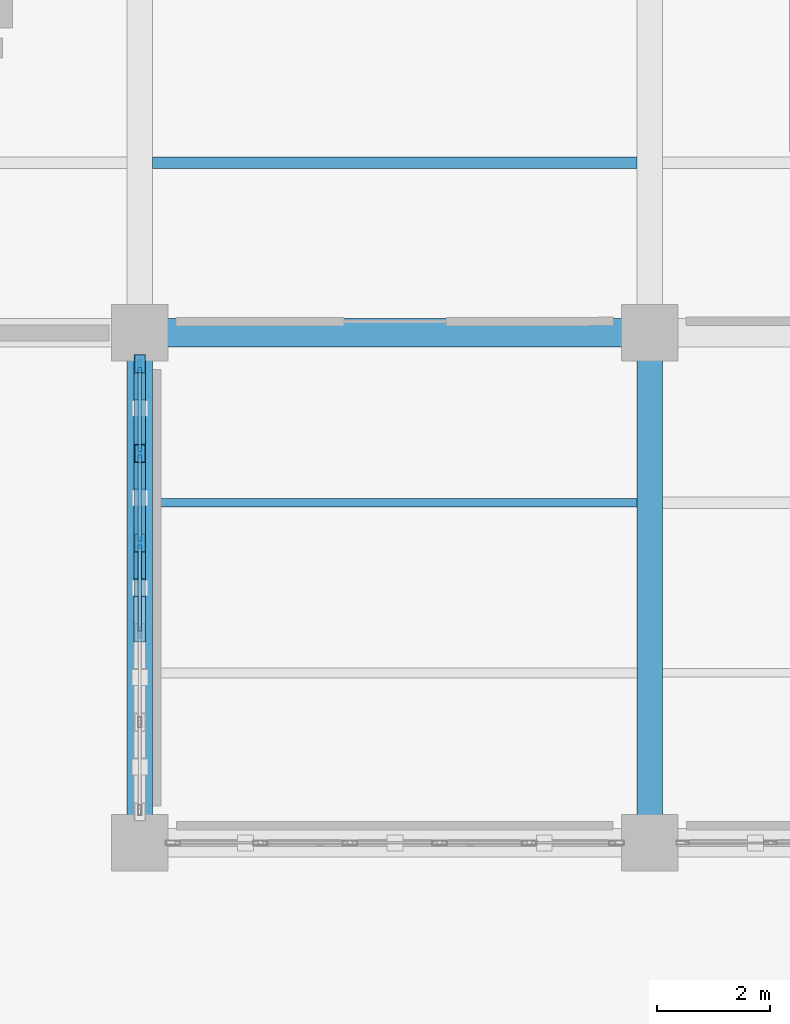
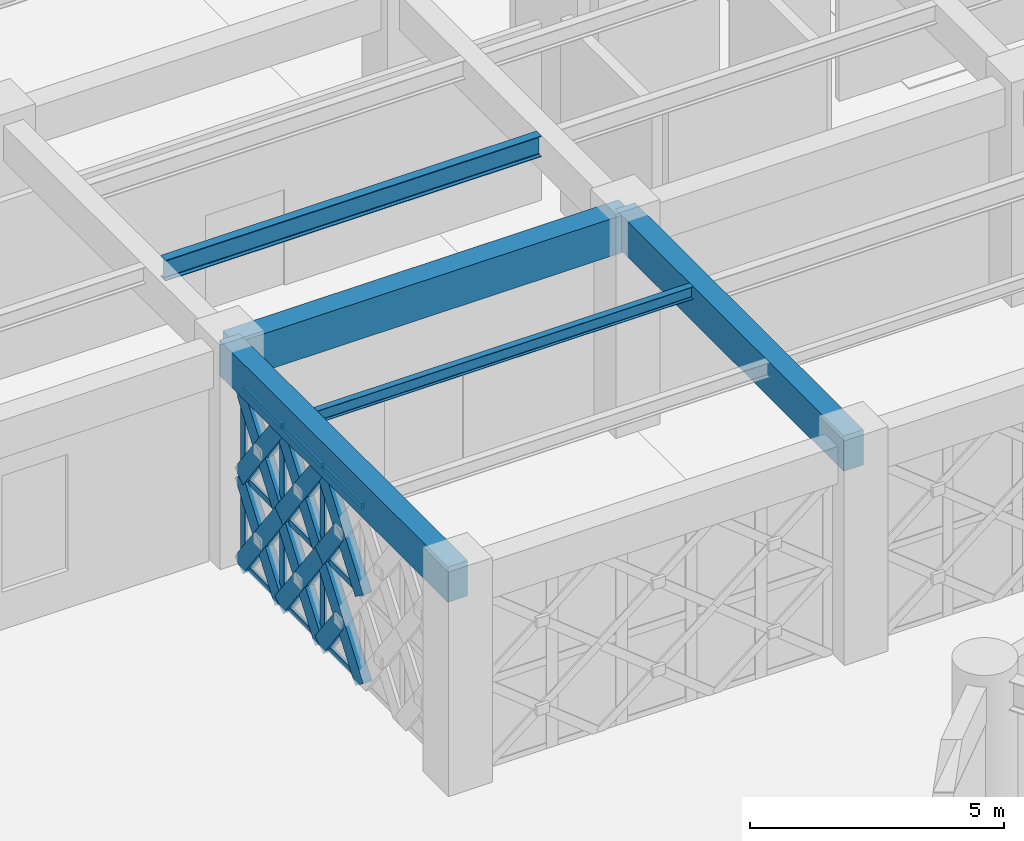
# One storey, part 56 of 140: 28 members, 5 beams, 1 element without a shape of its own.
"""IFC4 building model written with IfcOpenShell, lengths in metres."""

import ifcopenshell
import ifcopenshell.guid

model = None  # the IFC model being written
_history = None  # IfcOwnerHistory: only IFC2X3 demands one
_inside = {}  # id of a spatial element -> (the spatial element, [elements in it])
_under = {}  # id of a project, library or spatial element -> (it, [spatial elements below it])
_declared = {}  # id of a project -> (the project, [libraries it declares])
_typed = {}  # id of a type object -> (the type object, [elements of that type])
_made_of = {}  # id of a material, layer set ... -> (it, [elements and type objects made of it])


def new_model(schema):
    """Start an empty IFC model of exactly this schema.

    Asked for "IFC4X3", IfcOpenShell would pick the latest addendum, in which some entities
    have other attributes; the version numbers below select the first issue.
    IFC2X3 requires an IfcOwnerHistory on every rooted entity: one is made here for all.
    """
    global model, _history
    if schema == "IFC4X3":
        model = ifcopenshell.file(schema_version=(4, 3, 0, 0))
    else:
        model = ifcopenshell.file(schema=schema)
    _inside.clear()
    _under.clear()
    _declared.clear()
    _typed.clear()
    _made_of.clear()
    _history = None
    if model.schema == "IFC2X3":
        org = make("IfcOrganization", Name="unknown")
        user = make(
            "IfcPersonAndOrganization",
            ThePerson=make("IfcPerson", FamilyName="unknown"),
            TheOrganization=org,
        )
        app = make(
            "IfcApplication",
            ApplicationDeveloper=org,
            Version="unknown",
            ApplicationFullName="unknown",
            ApplicationIdentifier="unknown",
        )
        _history = make(
            "IfcOwnerHistory",
            OwningUser=user,
            OwningApplication=app,
            ChangeAction="ADDED",
            CreationDate=0,
        )
    return model


def make(cls, **values):
    """One entity of the class cls with the attributes given. An attribute that is None is left unset."""
    return model.create_entity(
        cls, **{name: value for name, value in values.items() if value is not None}
    )


def rooted(cls, **values):
    """An entity with a GlobalId (a new one), such as an element, a storey or a relation."""
    return make(cls, GlobalId=ifcopenshell.guid.new(), OwnerHistory=_history, **values)


def si_unit(unit_type, name, prefix=None):
    """IfcSIUnit, for example si_unit("LENGTHUNIT", "METRE", prefix="MILLI")."""
    return make("IfcSIUnit", UnitType=unit_type, Prefix=prefix, Name=name)


def assignment(units):
    """IfcUnitAssignment: the units of a project."""
    return None if units is None else make("IfcUnitAssignment", Units=units)


def point(xyz):
    """IfcCartesianPoint."""
    return None if xyz is None else make("IfcCartesianPoint", Coordinates=xyz)


def direction(xyz):
    """IfcDirection."""
    return None if xyz is None else make("IfcDirection", DirectionRatios=xyz)


def frame(location, z_axis=None, x_axis=None):
    """IfcAxis2Placement3D, a coordinate frame: its origin and axes. An axis left out is left unset."""
    return make(
        "IfcAxis2Placement3D",
        Location=point(location),
        Axis=direction(z_axis),
        RefDirection=direction(x_axis),
    )


def frame_2d(location, x_axis=None):
    """IfcAxis2Placement2D, a coordinate frame in the plane: its origin and x axis."""
    return make(
        "IfcAxis2Placement2D", Location=point(location), RefDirection=direction(x_axis)
    )


def origin():
    """The frame at (0, 0, 0) with its axes left unset."""
    return frame((0.0, 0.0, 0.0))


def origin_2d():
    """The frame at (0, 0) in the plane with its x axis left unset."""
    return frame_2d((0.0, 0.0))


def place(relative_to, where):
    """IfcLocalPlacement: puts the frame where relative to a parent placement (None: the world)."""
    return make(
        "IfcLocalPlacement", PlacementRelTo=relative_to, RelativePlacement=where
    )


def context(
    kind, dimensions, precision=None, world=None, true_north=None, identifier=None
):
    """IfcGeometricRepresentationContext, for example the 3D "Model" context."""
    return make(
        "IfcGeometricRepresentationContext",
        ContextIdentifier=identifier,
        ContextType=kind,
        CoordinateSpaceDimension=dimensions,
        Precision=precision,
        WorldCoordinateSystem=world,
        TrueNorth=true_north,
    )


def subcontext(parent, identifier, kind, view, scale=None):
    """IfcGeometricRepresentationSubContext, for example "Body" below "Model"."""
    return make(
        "IfcGeometricRepresentationSubContext",
        ContextIdentifier=identifier,
        ContextType=kind,
        ParentContext=parent,
        TargetScale=scale,
        TargetView=view,
    )


def project(units=None, contexts=None):
    """IfcProject with its units and contexts."""
    return rooted(
        "IfcProject",
        Name="project",
        RepresentationContexts=contexts,
        UnitsInContext=assignment(units),
    )


def spatial(cls, under=None, at=None, **own):
    """A site, building, storey or space (cls), placed at a placement, below another one or the project."""
    s = rooted(cls, ObjectPlacement=at, **own)
    if under is not None:
        _under.setdefault(under.id(), (under, []))[1].append(s)
    return s


def profile(cls, at=None, kind="AREA", **sizes):
    """A parametric profile (cls). Its sizes go by their IFC names, for example OverallWidth=200.0."""
    return make(cls, ProfileType=kind, Position=at, **sizes)


def rectangle(**sizes):
    """IfcRectangleProfileDef."""
    return profile("IfcRectangleProfileDef", **sizes)


def hollow_rectangle(**sizes):
    """IfcRectangleHollowProfileDef."""
    return profile("IfcRectangleHollowProfileDef", **sizes)


def i_section(**sizes):
    """IfcIShapeProfileDef."""
    return profile("IfcIShapeProfileDef", **sizes)


def extrude(swept, where, along, depth):
    """IfcExtrudedAreaSolid: the profile swept, set in the frame where, extruded along a direction by depth."""
    return make(
        "IfcExtrudedAreaSolid",
        SweptArea=swept,
        Position=where,
        ExtrudedDirection=direction(along),
        Depth=depth,
    )


def shape(context_of_items, identifier, shape_type, items):
    """IfcShapeRepresentation: the items that make up one representation, for example the "Body"."""
    return make(
        "IfcShapeRepresentation",
        ContextOfItems=context_of_items,
        RepresentationIdentifier=identifier,
        RepresentationType=shape_type,
        Items=items,
    )


def material(Name=None, Category=None):
    """IfcMaterial."""
    return make("IfcMaterial", Name=Name, Category=Category)


def material_profile(
    of_material, cross_section, Name=None, Category=None, Priority=None
):
    """IfcMaterialProfile: a cross section and its material."""
    return make(
        "IfcMaterialProfile",
        Name=Name,
        Material=of_material,
        Profile=cross_section,
        Priority=Priority,
        Category=Category,
    )


def profile_set(profiles, Name=None, composite=None):
    """IfcMaterialProfileSet."""
    return make(
        "IfcMaterialProfileSet",
        Name=Name,
        MaterialProfiles=profiles,
        CompositeProfile=composite,
    )


def made_of(thing, what):
    """Note that an element or type object is made of a material, layer set ...; save() writes the relation."""
    if what is not None:
        _made_of.setdefault(what.id(), (what, []))[1].append(thing)
    return thing


def type_object(cls, material=None, **own):
    """A type object (cls), such as IfcWallType, which elements share."""
    return made_of(rooted(cls, **own), material)


def element(
    cls,
    number,
    at=None,
    inside=None,
    cuts=None,
    type_object=None,
    material=None,
    context=None,
    identifier="Body",
    shape_type=None,
    held_by="IfcProductDefinitionShape",
    body=None,
    shapes=None,
    **own,
):
    """One element of the class cls, such as IfcWall. Its Tag is "e" and its number.

    at: its placement. inside: the storey or other place that contains it. cuts: it is an
    opening in that element (IfcRelVoidsElement). A single representation is given by context,
    identifier, shape_type and body (its items); several are given by shapes. held_by: the class
    of the entity that holds the representations. save() writes the other relations.
    """
    e = rooted(cls, Tag="e%d" % number, ObjectPlacement=at, **own)
    if body is not None:
        shapes = [shape(context, identifier, shape_type, body)]
    if shapes is not None:
        e.Representation = make(held_by, Representations=shapes)
    if inside is not None:
        _inside.setdefault(inside.id(), (inside, []))[1].append(e)
    if cuts is not None:
        rooted(
            "IfcRelVoidsElement", RelatingBuildingElement=cuts, RelatedOpeningElement=e
        )
    if type_object is not None:
        _typed.setdefault(type_object.id(), (type_object, []))[1].append(e)
    return made_of(e, material)


def aggregate(whole, parts):
    """IfcRelAggregates: a whole, such as a stair, and the parts it consists of."""
    return rooted("IfcRelAggregates", RelatingObject=whole, RelatedObjects=parts)


def save(model, path):
    """Write the relations noted so far, then the file.

    IfcRelAggregates (storeys below a building ...), IfcRelContainedInSpatialStructure (elements
    in a storey), IfcRelDefinesByType, IfcRelAssociatesMaterial and IfcRelDeclares: one each for
    every whole, place, type object, material and project.
    """
    for whole, parts in _under.values():
        aggregate(whole, parts)
    for where, things in _inside.values():
        rooted(
            "IfcRelContainedInSpatialStructure",
            RelatedElements=things,
            RelatingStructure=where,
        )
    for kind, things in _typed.values():
        rooted("IfcRelDefinesByType", RelatedObjects=things, RelatingType=kind)
    for what, things in _made_of.values():
        rooted("IfcRelAssociatesMaterial", RelatedObjects=things, RelatingMaterial=what)
    for by, libraries in _declared.values():
        rooted("IfcRelDeclares", RelatingContext=by, RelatedDefinitions=libraries)
    model.write(path)


model = new_model("IFC4")

# Units and contexts
model_context = context("Model", 3, precision=1e-05, world=origin(), true_north=direction((0.0, 1.0)))
body_context = subcontext(model_context, "Body", "Model", "MODEL_VIEW")
ifc_project = project(units=[si_unit("LENGTHUNIT", "METRE"), si_unit("AREAUNIT", "SQUARE_METRE"), si_unit("VOLUMEUNIT", "CUBIC_METRE"), si_unit("PLANEANGLEUNIT", "RADIAN"), si_unit("MASSUNIT", "GRAM", prefix="KILO")], contexts=[model_context])

# Site, building, storey
site_placement = place(None, origin())
site = spatial("IfcSite", under=ifc_project, at=site_placement, CompositionType="ELEMENT")
building_placement = place(site_placement, origin())
building = spatial("IfcBuilding", under=site, at=building_placement, Name="Haizhuo Lancet Aquarium", CompositionType="ELEMENT")
storey_placement = place(building_placement, origin())
storey = spatial("IfcBuildingStorey", under=building, at=storey_placement, Name="L00", CompositionType="ELEMENT", Elevation=0.0)

# Beams
ifc_material_1 = material(Name="Concrete C40/50", Category="concrete")
ifc_material_profile_1 = material_profile(ifc_material_1, rectangle(XDim=0.449951171875, YDim=0.85009765625, at=origin_2d()), Name="RC-BM 450x850")
ifc_profile_set_1 = profile_set([ifc_material_profile_1], Name="Concrete C40/50")
beam_type_1 = type_object("IfcBeamType", Name="BM-RC-450x850", PredefinedType="BEAM", material=ifc_profile_set_1)
for number, where, z_axis, x_axis, name in (
    (1, (-18.0, 27.0, 4.695068359375), (0.0, 1.0, 0.0), (-1.0, 0.0, 0.0), "L00 V5 primary girder BM-L00-V5-003"),
    (2, (-9.0, 27.0, 4.695068359375), (0.0, 1.0, 0.0), (-1.0, 0.0, 0.0), "L00 V5 primary girder BM-L00-V5-010"),
):
    element("IfcBeam", number, at=place(storey_placement, frame(where, z_axis=z_axis, x_axis=x_axis)), inside=storey, type_object=beam_type_1, Name=name, PredefinedType="BEAM", context=body_context, shape_type="SweptSolid", body=[
        extrude(rectangle(XDim=0.449951171875, YDim=0.85009765625, at=origin_2d()), origin(), (0.0, 0.0, 1.0), 9.0),
    ])
ifc_material_profile_2 = material_profile(ifc_material_1, rectangle(XDim=0.5, YDim=0.89990234375, at=origin_2d()), Name="RC-BM 500x900")
ifc_profile_set_2 = profile_set([ifc_material_profile_2], Name="Concrete C40/50")
beam_type_2 = type_object("IfcBeamType", Name="BM-RC-500x900", PredefinedType="BEAM", material=ifc_profile_set_2)
beam_1_placement = place(storey_placement, frame((-18.0, 36.0, 4.669921875), z_axis=(1.0, 0.0, 0.0), x_axis=(0.0, 1.0, 0.0)))
element("IfcBeam", 3, at=beam_1_placement, inside=storey, type_object=beam_type_2, Name="L00 V5 primary girder BM-L00-V5-006", PredefinedType="BEAM", context=body_context, shape_type="SweptSolid", body=[
    extrude(rectangle(XDim=0.5, YDim=0.89990234375, at=origin_2d()), origin(), (0.0, 0.0, 1.0), 9.0),
])

# Curtain wall, members
ifc_material_2 = material(Name="Aluminium 6063-T6", Category="aluminium")
curtain_wall_type = type_object("IfcCurtainWallType", Name="CWD-7910x4270", PredefinedType="NOTDEFINED", material=ifc_material_2)
curtain_wall_placement = place(storey_placement, origin())
curtain_wall = element("IfcCurtainWall", 4, at=curtain_wall_placement, inside=storey, type_object=curtain_wall_type, Name="L00 curtain wall CW-V5-L00-127", PredefinedType="NOTDEFINED")
ifc_material_profile_3 = material_profile(ifc_material_2, hollow_rectangle(XDim=0.06494140625, YDim=0.179931640625, WallThickness=0.00390625, at=origin_2d()), Name="ALU-M 65x180x4")
ifc_profile_set_3 = profile_set([ifc_material_profile_3], Name="Aluminium 6063-T6")
member_type_1 = type_object("IfcMemberType", Name="CW-MUL-1", PredefinedType="MULLION", material=ifc_profile_set_3)
member_1_placement = place(storey_placement, frame((-18.0, 32.291015625, 0.0), z_axis=(0.0, 0.0, 1.0), x_axis=(-1.0, 0.0, 0.0)))
member_1 = element("IfcMember", 5, at=member_1_placement, type_object=member_type_1, Name="CWD-79x42 mullion 4", PredefinedType="MULLION", context=body_context, shape_type="SweptSolid", body=[
    extrude(hollow_rectangle(XDim=0.06494140625, YDim=0.179931640625, WallThickness=0.00390625, at=origin_2d()), origin(), (0.0, 0.0, 1.0), 4.27001953125),
])
member_2_placement = place(storey_placement, frame((-18.0, 33.873046875, 0.0), z_axis=(0.0, 0.0, 1.0), x_axis=(-1.0, 0.0, 0.0)))
member_2 = element("IfcMember", 6, at=member_2_placement, type_object=member_type_1, Name="CWD-79x42 mullion 5", PredefinedType="MULLION", context=body_context, shape_type="SweptSolid", body=[
    extrude(hollow_rectangle(XDim=0.06494140625, YDim=0.179931640625, WallThickness=0.00390625, at=origin_2d()), origin(), (0.0, 0.0, 1.0), 4.27001953125),
])
member_3_placement = place(storey_placement, frame((-18.0, 35.422119140625, 0.0), z_axis=(0.0, 0.0, 1.0), x_axis=(-1.0, 0.0, 0.0)))
member_3 = element("IfcMember", 7, at=member_3_placement, type_object=member_type_1, Name="CWD-79x42 mullion 6", PredefinedType="MULLION", context=body_context, shape_type="SweptSolid", body=[
    extrude(hollow_rectangle(XDim=0.06494140625, YDim=0.179931640625, WallThickness=0.00390625, at=origin_2d()), origin(), (0.0, 0.0, 1.0), 4.27001953125),
])
ifc_material_profile_4 = material_profile(ifc_material_2, hollow_rectangle(XDim=0.06494140625, YDim=0.139892578125, WallThickness=0.00390625, at=origin_2d()), Name="ALU-T 65x140x4")
ifc_profile_set_4 = profile_set([ifc_material_profile_4], Name="Aluminium 6063-T6")
member_type_2 = type_object("IfcMemberType", Name="CW-TRN-1", PredefinedType="NOTDEFINED", material=ifc_profile_set_4)
member_4_placement = place(storey_placement, frame((-18.0, 30.741943359375, 0.032958984375), z_axis=(0.0, 1.0, 0.0), x_axis=(-1.0, 0.0, 0.0)))
member_4 = element("IfcMember", 8, at=member_4_placement, type_object=member_type_2, Name="CWD-79x42 transom 3.1", ObjectType="TRANSOM", PredefinedType="USERDEFINED", context=body_context, shape_type="SweptSolid", body=[
    extrude(hollow_rectangle(XDim=0.06494140625, YDim=0.139892578125, WallThickness=0.00390625, at=origin_2d()), origin(), (0.0, 0.0, 1.0), 1.51611328125),
])
member_5_placement = place(storey_placement, frame((-18.0, 30.741943359375, 2.135009765625), z_axis=(0.0, 1.0, 0.0), x_axis=(-1.0, 0.0, 0.0)))
member_5 = element("IfcMember", 9, at=member_5_placement, type_object=member_type_2, Name="CWD-79x42 transom 3.2", ObjectType="TRANSOM", PredefinedType="USERDEFINED", context=body_context, shape_type="SweptSolid", body=[
    extrude(hollow_rectangle(XDim=0.06494140625, YDim=0.139892578125, WallThickness=0.00390625, at=origin_2d()), origin(), (0.0, 0.0, 1.0), 1.51611328125),
])
member_6_placement = place(storey_placement, frame((-18.0, 30.741943359375, 4.237060546875), z_axis=(0.0, 1.0, 0.0), x_axis=(-1.0, 0.0, 0.0)))
member_6 = element("IfcMember", 10, at=member_6_placement, type_object=member_type_2, Name="CWD-79x42 transom 3.3", ObjectType="TRANSOM", PredefinedType="USERDEFINED", context=body_context, shape_type="SweptSolid", body=[
    extrude(hollow_rectangle(XDim=0.06494140625, YDim=0.139892578125, WallThickness=0.00390625, at=origin_2d()), origin(), (0.0, 0.0, 1.0), 1.51611328125),
])
member_7_placement = place(storey_placement, frame((-18.0, 32.323974609375, 0.032958984375), z_axis=(0.0, 1.0, 0.0), x_axis=(-1.0, 0.0, 0.0)))
member_7 = element("IfcMember", 11, at=member_7_placement, type_object=member_type_2, Name="CWD-79x42 transom 4.1", ObjectType="TRANSOM", PredefinedType="USERDEFINED", context=body_context, shape_type="SweptSolid", body=[
    extrude(hollow_rectangle(XDim=0.06494140625, YDim=0.139892578125, WallThickness=0.00390625, at=origin_2d()), origin(), (0.0, 0.0, 1.0), 1.51611328125),
])
member_8_placement = place(storey_placement, frame((-18.0, 32.323974609375, 2.135009765625), z_axis=(0.0, 1.0, 0.0), x_axis=(-1.0, 0.0, 0.0)))
member_8 = element("IfcMember", 12, at=member_8_placement, type_object=member_type_2, Name="CWD-79x42 transom 4.2", ObjectType="TRANSOM", PredefinedType="USERDEFINED", context=body_context, shape_type="SweptSolid", body=[
    extrude(hollow_rectangle(XDim=0.06494140625, YDim=0.139892578125, WallThickness=0.00390625, at=origin_2d()), origin(), (0.0, 0.0, 1.0), 1.51611328125),
])
member_9_placement = place(storey_placement, frame((-18.0, 32.323974609375, 4.237060546875), z_axis=(0.0, 1.0, 0.0), x_axis=(-1.0, 0.0, 0.0)))
member_9 = element("IfcMember", 13, at=member_9_placement, type_object=member_type_2, Name="CWD-79x42 transom 4.3", ObjectType="TRANSOM", PredefinedType="USERDEFINED", context=body_context, shape_type="SweptSolid", body=[
    extrude(hollow_rectangle(XDim=0.06494140625, YDim=0.139892578125, WallThickness=0.00390625, at=origin_2d()), origin(), (0.0, 0.0, 1.0), 1.51611328125),
])
member_10_placement = place(storey_placement, frame((-18.0, 33.905029296875, 0.032958984375), z_axis=(0.0, 1.0, 0.0), x_axis=(-1.0, 0.0, 0.0)))
member_10 = element("IfcMember", 14, at=member_10_placement, type_object=member_type_2, Name="CWD-79x42 transom 5.1", ObjectType="TRANSOM", PredefinedType="USERDEFINED", context=body_context, shape_type="SweptSolid", body=[
    extrude(hollow_rectangle(XDim=0.06494140625, YDim=0.139892578125, WallThickness=0.00390625, at=origin_2d()), origin(), (0.0, 0.0, 1.0), 1.48486328125),
])
member_11_placement = place(storey_placement, frame((-18.0, 33.905029296875, 2.135009765625), z_axis=(0.0, 1.0, 0.0), x_axis=(-1.0, 0.0, 0.0)))
member_11 = element("IfcMember", 15, at=member_11_placement, type_object=member_type_2, Name="CWD-79x42 transom 5.2", ObjectType="TRANSOM", PredefinedType="USERDEFINED", context=body_context, shape_type="SweptSolid", body=[
    extrude(hollow_rectangle(XDim=0.06494140625, YDim=0.139892578125, WallThickness=0.00390625, at=origin_2d()), origin(), (0.0, 0.0, 1.0), 1.48486328125),
])
member_12_placement = place(storey_placement, frame((-18.0, 33.905029296875, 4.237060546875), z_axis=(0.0, 1.0, 0.0), x_axis=(-1.0, 0.0, 0.0)))
member_12 = element("IfcMember", 16, at=member_12_placement, type_object=member_type_2, Name="CWD-79x42 transom 5.3", ObjectType="TRANSOM", PredefinedType="USERDEFINED", context=body_context, shape_type="SweptSolid", body=[
    extrude(hollow_rectangle(XDim=0.06494140625, YDim=0.139892578125, WallThickness=0.00390625, at=origin_2d()), origin(), (0.0, 0.0, 1.0), 1.48486328125),
])
aggregate(curtain_wall, [member_1, member_2, member_3, member_4, member_5, member_6, member_7, member_8, member_9, member_10, member_11, member_12])

# Beams
ifc_material_3 = material(Name="Steel S355", Category="steel")
ifc_material_profile_5 = material_profile(ifc_material_3, i_section(OverallWidth=0.14990234375, OverallDepth=0.300048828125, WebThickness=0.006591796875, FlangeThickness=0.009033203125, FilletRadius=0.012939453125, at=origin_2d()), Name="HN 300x150x6.5x9")
ifc_profile_set_5 = profile_set([ifc_material_profile_5], Name="Steel S355")
beam_type_3 = type_object("IfcBeamType", Name="JST-ST-HN300", PredefinedType="JOIST", material=ifc_profile_set_5)
beam_2_placement = place(storey_placement, frame((-17.77490234375, 33.0, 4.969970703125), z_axis=(1.0, 0.0, 0.0), x_axis=(0.0, 1.0, 0.0)))
element("IfcBeam", 17, at=beam_2_placement, inside=storey, type_object=beam_type_3, Name="L00 V5 secondary floor joist 3", PredefinedType="JOIST", context=body_context, shape_type="SweptSolid", body=[
    extrude(i_section(OverallWidth=0.14990234375, OverallDepth=0.300048828125, WebThickness=0.006591796875, FlangeThickness=0.009033203125, FilletRadius=0.012939453125, at=origin_2d()), origin(), (0.0, 0.0, 1.0), 8.5498046875),
])
ifc_material_profile_6 = material_profile(ifc_material_3, i_section(OverallWidth=0.199951171875, OverallDepth=0.5, WebThickness=0.010009765625, FlangeThickness=0.01611328125, FilletRadius=0.02001953125, at=origin_2d()), Name="HN 500x200x10x16")
ifc_profile_set_6 = profile_set([ifc_material_profile_6], Name="Steel S355")
beam_type_4 = type_object("IfcBeamType", Name="JST-ST-HN500", PredefinedType="JOIST", material=ifc_profile_set_6)
beam_3_placement = place(storey_placement, frame((-17.77490234375, 39.0, 4.8701171875), z_axis=(1.0, 0.0, 0.0), x_axis=(0.0, 1.0, 0.0)))
element("IfcBeam", 18, at=beam_3_placement, inside=storey, type_object=beam_type_4, Name="L00 V5 secondary floor joist 4", PredefinedType="JOIST", context=body_context, shape_type="SweptSolid", body=[
    extrude(i_section(OverallWidth=0.199951171875, OverallDepth=0.5, WebThickness=0.010009765625, FlangeThickness=0.01611328125, FilletRadius=0.02001953125, at=origin_2d()), origin(), (0.0, 0.0, 1.0), 8.5498046875),
])

# Members
ifc_material_profile_7 = material_profile(ifc_material_3, hollow_rectangle(XDim=0.199951171875, YDim=0.39990234375, WallThickness=0.011962890625, at=origin_2d()), Name="RHS 200x400x12")
ifc_profile_set_7 = profile_set([ifc_material_profile_7], Name="Steel S355")
member_type_3 = type_object("IfcMemberType", Name="MEM-LB-RHS200x400", PredefinedType="BRACE", material=ifc_profile_set_7)
member_13_placement = place(storey_placement, frame((-18.0, 30.708984375, 0.0), z_axis=(0.0, 0.595359375958, 0.803459528202), x_axis=(-1.0, 0.0, 0.0)))
element("IfcMember", 19, at=member_13_placement, inside=storey, type_object=member_type_3, Name="Gothic lancet continuous diagonal brace CW-V5-L00-127 5A", PredefinedType="BRACE", context=body_context, shape_type="SweptSolid", body=[
    extrude(hollow_rectangle(XDim=0.199951171875, YDim=0.39990234375, WallThickness=0.011962890625, at=origin_2d()), origin(), (0.0, 0.0, 1.0), 2.6572265625),
])
member_14_placement = place(storey_placement, frame((-18.0, 32.291015625, 0.0), z_axis=(0.0, -0.595579178992, 0.803296608702), x_axis=(1.0, 0.0, 0.0)))
element("IfcMember", 20, at=member_14_placement, inside=storey, type_object=member_type_3, Name="Gothic lancet split diagonal brace CW-V5-L00-127 5B1", PredefinedType="BRACE", context=body_context, shape_type="SweptSolid", body=[
    extrude(hollow_rectangle(XDim=0.199951171875, YDim=0.39990234375, WallThickness=0.011962890625, at=origin_2d()), origin(), (0.0, 0.0, 1.0), 1.328125),
])
member_15_placement = place(storey_placement, frame((-18.0, 30.708984375, 2.135009765625), z_axis=(0.0, 0.595359375958, 0.803459528202), x_axis=(-1.0, 0.0, 0.0)))
element("IfcMember", 21, at=member_15_placement, inside=storey, type_object=member_type_3, Name="Gothic lancet continuous diagonal brace CW-V5-L00-127 6A", PredefinedType="BRACE", context=body_context, shape_type="SweptSolid", body=[
    extrude(hollow_rectangle(XDim=0.199951171875, YDim=0.39990234375, WallThickness=0.011962890625, at=origin_2d()), origin(), (0.0, 0.0, 1.0), 2.6572265625),
])
member_16_placement = place(storey_placement, frame((-18.0, 32.291015625, 2.135009765625), z_axis=(0.0, -0.595579178992, 0.803296608702), x_axis=(1.0, 0.0, 0.0)))
element("IfcMember", 22, at=member_16_placement, inside=storey, type_object=member_type_3, Name="Gothic lancet split diagonal brace CW-V5-L00-127 6B1", PredefinedType="BRACE", context=body_context, shape_type="SweptSolid", body=[
    extrude(hollow_rectangle(XDim=0.199951171875, YDim=0.39990234375, WallThickness=0.011962890625, at=origin_2d()), origin(), (0.0, 0.0, 1.0), 1.328125),
])
member_17_placement = place(storey_placement, frame((-18.0, 32.291015625, 0.0), z_axis=(0.0, 0.595359375958, 0.803459528202), x_axis=(-1.0, 0.0, 0.0)))
element("IfcMember", 23, at=member_17_placement, inside=storey, type_object=member_type_3, Name="Gothic lancet continuous diagonal brace CW-V5-L00-127 7A", PredefinedType="BRACE", context=body_context, shape_type="SweptSolid", body=[
    extrude(hollow_rectangle(XDim=0.199951171875, YDim=0.39990234375, WallThickness=0.011962890625, at=origin_2d()), origin(), (0.0, 0.0, 1.0), 2.6572265625),
])
member_18_placement = place(storey_placement, frame((-18.0, 33.873046875, 0.0), z_axis=(0.0, -0.595579178992, 0.803296608702), x_axis=(1.0, 0.0, 0.0)))
element("IfcMember", 24, at=member_18_placement, inside=storey, type_object=member_type_3, Name="Gothic lancet split diagonal brace CW-V5-L00-127 7B1", PredefinedType="BRACE", context=body_context, shape_type="SweptSolid", body=[
    extrude(hollow_rectangle(XDim=0.199951171875, YDim=0.39990234375, WallThickness=0.011962890625, at=origin_2d()), origin(), (0.0, 0.0, 1.0), 1.328125),
])
member_19_placement = place(storey_placement, frame((-18.0, 33.08203125, 1.06689453125), z_axis=(0.0, -0.595139690604, 0.803622267404), x_axis=(1.0, 0.0, 0.0)))
element("IfcMember", 25, at=member_19_placement, inside=storey, type_object=member_type_3, Name="Gothic lancet split diagonal brace CW-V5-L00-127 7B2", PredefinedType="BRACE", context=body_context, shape_type="SweptSolid", body=[
    extrude(hollow_rectangle(XDim=0.199951171875, YDim=0.39990234375, WallThickness=0.011962890625, at=origin_2d()), origin(), (0.0, 0.0, 1.0), 1.3291015625),
])
member_20_placement = place(storey_placement, frame((-18.0, 32.291015625, 2.135009765625), z_axis=(0.0, 0.595359375958, 0.803459528202), x_axis=(-1.0, 0.0, 0.0)))
element("IfcMember", 26, at=member_20_placement, inside=storey, type_object=member_type_3, Name="Gothic lancet continuous diagonal brace CW-V5-L00-127 8A", PredefinedType="BRACE", context=body_context, shape_type="SweptSolid", body=[
    extrude(hollow_rectangle(XDim=0.199951171875, YDim=0.39990234375, WallThickness=0.011962890625, at=origin_2d()), origin(), (0.0, 0.0, 1.0), 2.6572265625),
])
member_21_placement = place(storey_placement, frame((-18.0, 33.873046875, 2.135009765625), z_axis=(0.0, -0.595579178992, 0.803296608702), x_axis=(1.0, 0.0, 0.0)))
element("IfcMember", 27, at=member_21_placement, inside=storey, type_object=member_type_3, Name="Gothic lancet split diagonal brace CW-V5-L00-127 8B1", PredefinedType="BRACE", context=body_context, shape_type="SweptSolid", body=[
    extrude(hollow_rectangle(XDim=0.199951171875, YDim=0.39990234375, WallThickness=0.011962890625, at=origin_2d()), origin(), (0.0, 0.0, 1.0), 1.328125),
])
member_22_placement = place(storey_placement, frame((-18.0, 33.08203125, 3.201904296875), z_axis=(0.0, -0.595139690604, 0.803622267404), x_axis=(1.0, 0.0, 0.0)))
element("IfcMember", 28, at=member_22_placement, inside=storey, type_object=member_type_3, Name="Gothic lancet split diagonal brace CW-V5-L00-127 8B2", PredefinedType="BRACE", context=body_context, shape_type="SweptSolid", body=[
    extrude(hollow_rectangle(XDim=0.199951171875, YDim=0.39990234375, WallThickness=0.011962890625, at=origin_2d()), origin(), (0.0, 0.0, 1.0), 1.3291015625),
])
member_23_placement = place(storey_placement, frame((-18.0, 33.873046875, 0.0), z_axis=(0.0, 0.595359375958, 0.803459528202), x_axis=(-1.0, 0.0, 0.0)))
element("IfcMember", 29, at=member_23_placement, inside=storey, type_object=member_type_3, Name="Gothic lancet continuous diagonal brace CW-V5-L00-127 9A", PredefinedType="BRACE", context=body_context, shape_type="SweptSolid", body=[
    extrude(hollow_rectangle(XDim=0.199951171875, YDim=0.39990234375, WallThickness=0.011962890625, at=origin_2d()), origin(), (0.0, 0.0, 1.0), 2.6572265625),
])
member_24_placement = place(storey_placement, frame((-18.0, 35.455078125, 0.0), z_axis=(0.0, -0.595579178992, 0.803296608702), x_axis=(1.0, 0.0, 0.0)))
element("IfcMember", 30, at=member_24_placement, inside=storey, type_object=member_type_3, Name="Gothic lancet split diagonal brace CW-V5-L00-127 9B1", PredefinedType="BRACE", context=body_context, shape_type="SweptSolid", body=[
    extrude(hollow_rectangle(XDim=0.199951171875, YDim=0.39990234375, WallThickness=0.011962890625, at=origin_2d()), origin(), (0.0, 0.0, 1.0), 1.328125),
])
member_25_placement = place(storey_placement, frame((-18.0, 34.6640625, 1.06689453125), z_axis=(0.0, -0.595139690604, 0.803622267404), x_axis=(1.0, 0.0, 0.0)))
element("IfcMember", 31, at=member_25_placement, inside=storey, type_object=member_type_3, Name="Gothic lancet split diagonal brace CW-V5-L00-127 9B2", PredefinedType="BRACE", context=body_context, shape_type="SweptSolid", body=[
    extrude(hollow_rectangle(XDim=0.199951171875, YDim=0.39990234375, WallThickness=0.011962890625, at=origin_2d()), origin(), (0.0, 0.0, 1.0), 1.3291015625),
])
member_26_placement = place(storey_placement, frame((-18.0, 33.873046875, 2.135009765625), z_axis=(0.0, 0.595359375958, 0.803459528202), x_axis=(-1.0, 0.0, 0.0)))
element("IfcMember", 32, at=member_26_placement, inside=storey, type_object=member_type_3, Name="Gothic lancet continuous diagonal brace CW-V5-L00-127 10A", PredefinedType="BRACE", context=body_context, shape_type="SweptSolid", body=[
    extrude(hollow_rectangle(XDim=0.199951171875, YDim=0.39990234375, WallThickness=0.011962890625, at=origin_2d()), origin(), (0.0, 0.0, 1.0), 2.6572265625),
])
member_27_placement = place(storey_placement, frame((-18.0, 35.455078125, 2.135009765625), z_axis=(0.0, -0.595579178992, 0.803296608702), x_axis=(1.0, 0.0, 0.0)))
element("IfcMember", 33, at=member_27_placement, inside=storey, type_object=member_type_3, Name="Gothic lancet split diagonal brace CW-V5-L00-127 10B1", PredefinedType="BRACE", context=body_context, shape_type="SweptSolid", body=[
    extrude(hollow_rectangle(XDim=0.199951171875, YDim=0.39990234375, WallThickness=0.011962890625, at=origin_2d()), origin(), (0.0, 0.0, 1.0), 1.328125),
])
member_28_placement = place(storey_placement, frame((-18.0, 34.6640625, 3.201904296875), z_axis=(0.0, -0.595139690604, 0.803622267404), x_axis=(1.0, 0.0, 0.0)))
element("IfcMember", 34, at=member_28_placement, inside=storey, type_object=member_type_3, Name="Gothic lancet split diagonal brace CW-V5-L00-127 10B2", PredefinedType="BRACE", context=body_context, shape_type="SweptSolid", body=[
    extrude(hollow_rectangle(XDim=0.199951171875, YDim=0.39990234375, WallThickness=0.011962890625, at=origin_2d()), origin(), (0.0, 0.0, 1.0), 1.3291015625),
])

save(model, "model.ifc")
